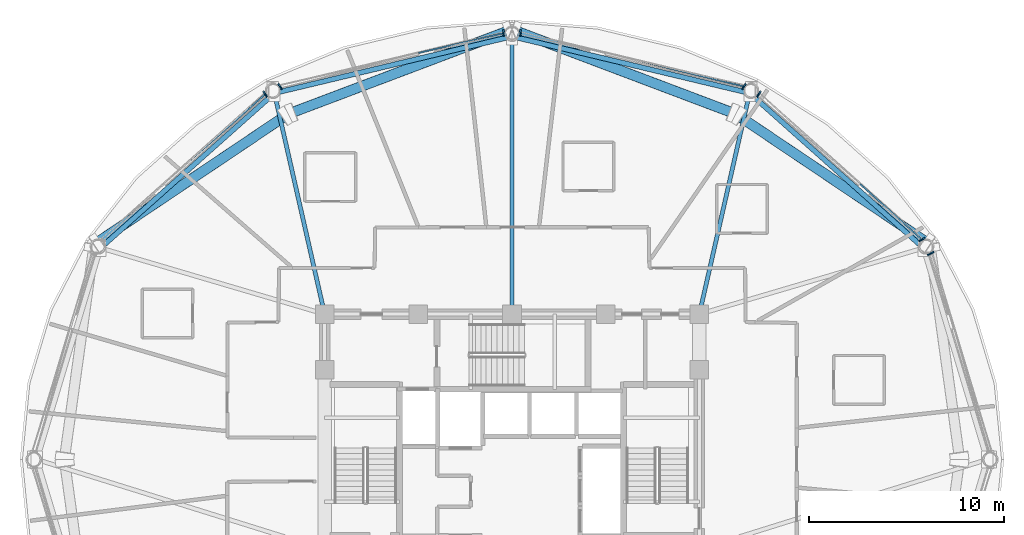
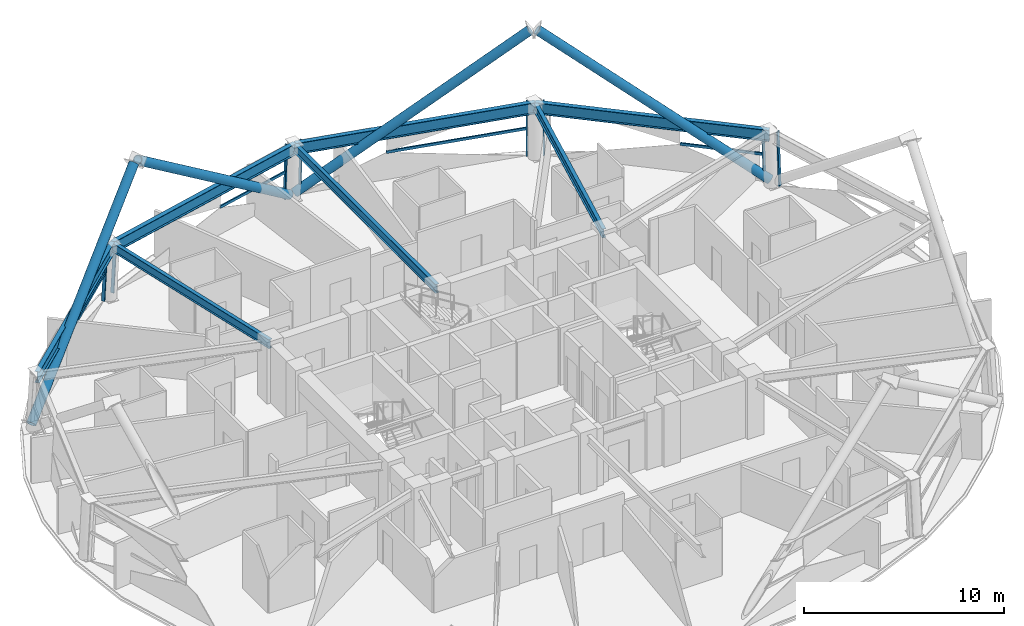
# One storey, part 4 of 13: 16 members, 7 beams, 5 elements without a shape of their own.
"""IFC4 building model written with IfcOpenShell, lengths in metres."""

from ifc_helpers import new_model, si_unit, direction, frame, origin, origin_2d, place, context, subcontext, project, spatial, hollow_rectangle, hollow_circle, i_section, extrude, material, layer, layer_set, material_profile, profile_set, type_object, element, aggregate, save


model = new_model("IFC4")

# Units and contexts
model_context = context("Model", 3, precision=1e-05, world=origin(), true_north=direction((0.0, 1.0)))
body_context = subcontext(model_context, "Body", "Model", "MODEL_VIEW")
ifc_project = project(units=[si_unit("LENGTHUNIT", "METRE"), si_unit("AREAUNIT", "SQUARE_METRE"), si_unit("VOLUMEUNIT", "CUBIC_METRE"), si_unit("PLANEANGLEUNIT", "RADIAN"), si_unit("MASSUNIT", "GRAM", prefix="KILO")], contexts=[model_context])

# Site, building, storey
site_placement = place(None, origin())
site = spatial("IfcSite", under=ifc_project, at=site_placement, CompositionType="ELEMENT")
building_placement = place(site_placement, origin())
building = spatial("IfcBuilding", under=site, at=building_placement, Name="Vantalir Tower", CompositionType="ELEMENT")
storey_placement = place(building_placement, frame((0.0, 0.0, 172.199951171875)))
storey = spatial("IfcBuildingStorey", under=building, at=storey_placement, Name="L43", CompositionType="ELEMENT", Elevation=172.199951171875)

# Beams
ifc_material_1 = material(Name="Steel S355", Category="steel")
ifc_material_profile_1 = material_profile(ifc_material_1, i_section(OverallWidth=0.2109375, OverallDepth=0.5390625, WebThickness=0.01171875, FlangeThickness=0.018798828125, at=origin_2d()), Name="Steel S355")
ifc_profile_set_1 = profile_set([ifc_material_profile_1], Name="Steel S355")
beam_type_1 = type_object("IfcBeamType", Name="BM-RB-533x210", PredefinedType="BEAM", material=ifc_profile_set_1)
beam_1_placement = place(storey_placement, frame((43.675048828125, 43.777099609375, 3.22998046875), z_axis=(-0.221670157593, -0.975121705857, 0.0), x_axis=(0.975121705857, -0.221670157593, 0.0)))
element("IfcBeam", 1, at=beam_1_placement, inside=storey, type_object=beam_type_1, Name="L43 Radial Floor Beam 03", PredefinedType="BEAM", context=body_context, shape_type="SweptSolid", body=[
    extrude(i_section(OverallWidth=0.2109375, OverallDepth=0.5390625, WebThickness=0.01171875, FlangeThickness=0.018798828125, at=origin_2d()), origin(), (0.0, 0.0, 1.0), 11.6162109375),
])
beam_2_placement = place(storey_placement, frame((31.5, 46.681884765625, 3.22998046875), z_axis=(0.0, -1.0, 0.0), x_axis=(1.0, 0.0, 0.0)))
element("IfcBeam", 2, at=beam_2_placement, inside=storey, type_object=beam_type_1, Name="L43 Radial Floor Beam 04", PredefinedType="BEAM", context=body_context, shape_type="SweptSolid", body=[
    extrude(i_section(OverallWidth=0.2109375, OverallDepth=0.5390625, WebThickness=0.01171875, FlangeThickness=0.018798828125, at=origin_2d()), origin(), (0.0, 0.0, 1.0), 14.23193359375),
])
beam_3_placement = place(storey_placement, frame((19.324951171875, 43.777099609375, 3.22998046875), z_axis=(0.221670157593, -0.975121705857, 0.0), x_axis=(0.975121705857, 0.221670157593, 0.0)))
element("IfcBeam", 3, at=beam_3_placement, inside=storey, type_object=beam_type_1, Name="L43 Radial Floor Beam 05", PredefinedType="BEAM", context=body_context, shape_type="SweptSolid", body=[
    extrude(i_section(OverallWidth=0.2109375, OverallDepth=0.5390625, WebThickness=0.01171875, FlangeThickness=0.018798828125, at=origin_2d()), origin(), (0.0, 0.0, 1.0), 11.6162109375),
])
ifc_material_2 = material(Name="Steel S460", Category="steel")
ifc_material_profile_2 = material_profile(ifc_material_2, i_section(OverallWidth=0.256103515625, OverallDepth=0.693115234375, WebThickness=0.014404296875, FlangeThickness=0.023681640625, at=origin_2d()), Name="Steel S460")
ifc_profile_set_2 = profile_set([ifc_material_profile_2], Name="Steel S460")
beam_type_2 = type_object("IfcBeamType", Name="BM-RG-686x254", PredefinedType="USERDEFINED", material=ifc_profile_set_2)
beam_4_placement = place(storey_placement, frame((52.587890625, 35.841064453125, 3.154052734375), z_axis=(-0.746846959963, 0.664995953668, 0.0), x_axis=(-0.664995953668, -0.746846959963, 0.0)))
element("IfcBeam", 4, at=beam_4_placement, inside=storey, type_object=beam_type_2, Name="L43 Circumferential Ring Girder 02", ObjectType="GIRDER", PredefinedType="USERDEFINED", context=body_context, shape_type="SweptSolid", body=[
    extrude(i_section(OverallWidth=0.256103515625, OverallDepth=0.693115234375, WebThickness=0.014404296875, FlangeThickness=0.023681640625, at=origin_2d()), origin(), (0.0, 0.0, 1.0), 11.93408203125),
])
for number, where, z_axis, x_axis, name in (
    (5, (43.675048828125, 43.777099609375, 3.154052734375), (-0.972698748536, 0.232071421326, 0.0), (-0.232071421326, -0.972698748536, 0.0), "L43 Circumferential Ring Girder 03"),
    (6, (31.5, 46.681884765625, 3.154052734375), (-0.972698748536, -0.232071421326, 0.0), (0.232071421326, -0.972698748536, 0.0), "L43 Circumferential Ring Girder 04"),
):
    element("IfcBeam", number, at=place(storey_placement, frame(where, z_axis=z_axis, x_axis=x_axis)), inside=storey, type_object=beam_type_2, Name=name, ObjectType="GIRDER", PredefinedType="USERDEFINED", context=body_context, shape_type="SweptSolid", body=[
        extrude(i_section(OverallWidth=0.256103515625, OverallDepth=0.693115234375, WebThickness=0.014404296875, FlangeThickness=0.023681640625, at=origin_2d()), origin(), (0.0, 0.0, 1.0), 12.516845703125),
    ])
beam_5_placement = place(storey_placement, frame((19.324951171875, 43.777099609375, 3.154052734375), z_axis=(-0.746846959963, -0.664995953668, 0.0), x_axis=(0.664995953668, -0.746846959963, 0.0)))
element("IfcBeam", 7, at=beam_5_placement, inside=storey, type_object=beam_type_2, Name="L43 Circumferential Ring Girder 05", ObjectType="GIRDER", PredefinedType="USERDEFINED", context=body_context, shape_type="SweptSolid", body=[
    extrude(i_section(OverallWidth=0.256103515625, OverallDepth=0.693115234375, WebThickness=0.014404296875, FlangeThickness=0.023681640625, at=origin_2d()), origin(), (0.0, 0.0, 1.0), 11.93408203125),
])

# Curtain wall, member
ifc_material_3 = material(Name="Champagne-silver PVDF aluminium and double-silver Low-E glass", Category="aluminium")
ifc_layer = layer(ifc_material_3, 0.199951171875)
ifc_layer_set = layer_set([ifc_layer], Name="Champagne-silver PVDF aluminium and double-silver Low-E glass")
curtain_wall_type = type_object("IfcCurtainWallType", Name="CW-DIAMOND-Z2", PredefinedType="USERDEFINED", material=ifc_layer_set)
curtain_wall_1_placement = place(storey_placement, origin())
curtain_wall_1 = element("IfcCurtainWall", 8, at=curtain_wall_1_placement, inside=storey, type_object=curtain_wall_type, Name="L43 Quilted Pyramid-Diamond Curtain Wall S01", ObjectType="UNITISED CURTAIN WALL", PredefinedType="USERDEFINED")
ifc_material_4 = material(Name="Champagne-silver PVDF aluminium 6063-T6", Category="aluminium")
ifc_material_profile_3 = material_profile(ifc_material_4, hollow_rectangle(XDim=0.074951171875, YDim=0.179931640625, WallThickness=0.00390625, at=origin_2d()), Name="Champagne-silver PVDF aluminium 6063-T6")
ifc_profile_set_3 = profile_set([ifc_material_profile_3], Name="Champagne-silver PVDF aluminium 6063-T6")
member_type_1 = type_object("IfcMemberType", Name="CWM-180x75", PredefinedType="MULLION", material=ifc_profile_set_3)
member_1_placement = place(storey_placement, frame((53.0400390625, 35.597900390625, 0.045166015625), z_axis=(-0.047187623681, -0.024308775836, 0.998590212043), x_axis=(0.457956589674, -0.888974556427, 0.0)))
member_1 = element("IfcMember", 9, at=member_1_placement, type_object=member_type_1, Name="CW-L43-S01 Mullion 2", PredefinedType="MULLION", context=body_context, shape_type="SweptSolid", body=[
    extrude(hollow_rectangle(XDim=0.074951171875, YDim=0.179931640625, WallThickness=0.00390625, at=origin_2d()), origin(), (0.0, 0.0, 1.0), 3.414794921875),
])
aggregate(curtain_wall_1, [member_1])

# Curtain wall, members
curtain_wall_2_placement = place(storey_placement, origin())
curtain_wall_2 = element("IfcCurtainWall", 10, at=curtain_wall_2_placement, inside=storey, type_object=curtain_wall_type, Name="L43 Quilted Pyramid-Diamond Curtain Wall S02", ObjectType="UNITISED CURTAIN WALL", PredefinedType="USERDEFINED")
member_2_placement = place(storey_placement, frame((52.5849609375, 36.31201171875, 0.045166015625), z_axis=(-0.047116286119, -0.024308857785, 0.998593578497), x_axis=(0.458505511118, -0.888691564197, 0.0)))
member_2 = element("IfcMember", 11, at=member_2_placement, type_object=member_type_1, Name="CW-L43-S02 Mullion 1", PredefinedType="MULLION", context=body_context, shape_type="SweptSolid", body=[
    extrude(hollow_rectangle(XDim=0.074951171875, YDim=0.179931640625, WallThickness=0.00390625, at=origin_2d()), origin(), (0.0, 0.0, 1.0), 3.414794921875),
])
member_3_placement = place(storey_placement, frame((44.19091796875, 43.7919921875, 0.045166015625), z_axis=(-0.027244490604, -0.041903599722, 0.998750131946), x_axis=(0.838378236509, -0.545088921689, 0.0)))
member_3 = element("IfcMember", 12, at=member_3_placement, type_object=member_type_1, Name="CW-L43-S02 Mullion 2", PredefinedType="MULLION", context=body_context, shape_type="SweptSolid", body=[
    extrude(hollow_rectangle(XDim=0.074951171875, YDim=0.179931640625, WallThickness=0.00390625, at=origin_2d()), origin(), (0.0, 0.0, 1.0), 3.4140625),
])

curtain_wall_3_placement = place(storey_placement, origin())
curtain_wall_3 = element("IfcCurtainWall", 13, at=curtain_wall_3_placement, inside=storey, type_object=curtain_wall_type, Name="L43 Quilted Pyramid-Diamond Curtain Wall S03", ObjectType="UNITISED CURTAIN WALL", PredefinedType="USERDEFINED")
member_4_placement = place(storey_placement, frame((43.43505859375, 44.18701171875, 0.045166015625), z_axis=(-0.027244490604, -0.041903599722, 0.998750131946), x_axis=(0.838378236509, -0.545088921689, 0.0)))
member_4 = element("IfcMember", 14, at=member_4_placement, type_object=member_type_1, Name="CW-L43-S03 Mullion 1", PredefinedType="MULLION", context=body_context, shape_type="SweptSolid", body=[
    extrude(hollow_rectangle(XDim=0.074951171875, YDim=0.179931640625, WallThickness=0.00390625, at=origin_2d()), origin(), (0.0, 0.0, 1.0), 3.4140625),
])
member_5_placement = place(storey_placement, frame((31.927978515625, 46.93603515625, 0.045166015625), z_axis=(0.0, -0.048628589719, 0.998816930304), x_axis=(1.0, 0.0, 0.0)))
member_5 = element("IfcMember", 15, at=member_5_placement, type_object=member_type_1, Name="CW-L43-S03 Mullion 2", PredefinedType="MULLION", context=body_context, shape_type="SweptSolid", body=[
    extrude(hollow_rectangle(XDim=0.074951171875, YDim=0.179931640625, WallThickness=0.00390625, at=origin_2d()), origin(), (0.0, 0.0, 1.0), 3.4140625),
])

curtain_wall_4_placement = place(storey_placement, origin())
curtain_wall_4 = element("IfcCurtainWall", 16, at=curtain_wall_4_placement, inside=storey, type_object=curtain_wall_type, Name="L43 Quilted Pyramid-Diamond Curtain Wall S04", ObjectType="UNITISED CURTAIN WALL", PredefinedType="USERDEFINED")
member_6_placement = place(storey_placement, frame((31.072021484375, 46.93603515625, 0.045166015625), z_axis=(0.0, -0.048628589719, 0.998816930304), x_axis=(1.0, 0.0, 0.0)))
member_6 = element("IfcMember", 17, at=member_6_placement, type_object=member_type_1, Name="CW-L43-S04 Mullion 1", PredefinedType="MULLION", context=body_context, shape_type="SweptSolid", body=[
    extrude(hollow_rectangle(XDim=0.074951171875, YDim=0.179931640625, WallThickness=0.00390625, at=origin_2d()), origin(), (0.0, 0.0, 1.0), 3.4140625),
])
member_7_placement = place(storey_placement, frame((19.56494140625, 44.18701171875, 0.045166015625), z_axis=(0.027244490604, -0.041903599722, 0.998750131946), x_axis=(0.838378236509, 0.545088921689, 0.0)))
member_7 = element("IfcMember", 18, at=member_7_placement, type_object=member_type_1, Name="CW-L43-S04 Mullion 2", PredefinedType="MULLION", context=body_context, shape_type="SweptSolid", body=[
    extrude(hollow_rectangle(XDim=0.074951171875, YDim=0.179931640625, WallThickness=0.00390625, at=origin_2d()), origin(), (0.0, 0.0, 1.0), 3.4140625),
])

# Curtain wall, member
curtain_wall_5_placement = place(storey_placement, origin())
curtain_wall_5 = element("IfcCurtainWall", 19, at=curtain_wall_5_placement, inside=storey, type_object=curtain_wall_type, Name="L43 Quilted Pyramid-Diamond Curtain Wall S05", ObjectType="UNITISED CURTAIN WALL", PredefinedType="USERDEFINED")
member_8_placement = place(storey_placement, frame((18.80908203125, 43.7919921875, 0.045166015625), z_axis=(0.027244490604, -0.041903599722, 0.998750131946), x_axis=(0.838378236509, 0.545088921689, 0.0)))
member_8 = element("IfcMember", 20, at=member_8_placement, type_object=member_type_1, Name="CW-L43-S05 Mullion 1", PredefinedType="MULLION", context=body_context, shape_type="SweptSolid", body=[
    extrude(hollow_rectangle(XDim=0.074951171875, YDim=0.179931640625, WallThickness=0.00390625, at=origin_2d()), origin(), (0.0, 0.0, 1.0), 3.4140625),
])

# Member
ifc_material_profile_4 = material_profile(ifc_material_4, hollow_rectangle(XDim=0.074951171875, YDim=0.159912109375, WallThickness=0.00390625, at=origin_2d()), Name="Champagne-silver PVDF aluminium 6063-T6")
ifc_profile_set_4 = profile_set([ifc_material_profile_4], Name="Champagne-silver PVDF aluminium 6063-T6")
member_type_2 = type_object("IfcMemberType", Name="CWT-160x75", PredefinedType="USERDEFINED", material=ifc_profile_set_4)
member_9_placement = place(storey_placement, frame((52.50390625, 36.27001953125, 1.75), z_axis=(-0.742851363455, 0.669456385295, 0.0), x_axis=(-0.669456385295, -0.742851363455, 0.0)))
member_9 = element("IfcMember", 21, at=member_9_placement, type_object=member_type_2, Name="CW-L43-S02 Pyramid Fold Ridge Transom", ObjectType="TRANSOM", PredefinedType="USERDEFINED", context=body_context, shape_type="SweptSolid", body=[
    extrude(hollow_rectangle(XDim=0.074951171875, YDim=0.159912109375, WallThickness=0.00390625, at=origin_2d()), origin(), (0.0, 0.0, 1.0), 4.251220703125),
])

aggregate(curtain_wall_2, [member_2, member_3, member_9])

member_10_placement = place(storey_placement, frame((43.388916015625, 44.115966796875, 1.75), z_axis=(-0.97189529896, 0.235413525225, 0.0), x_axis=(-0.235413525225, -0.97189529896, 0.0)))
member_10 = element("IfcMember", 22, at=member_10_placement, type_object=member_type_2, Name="CW-L43-S03 Pyramid Fold Ridge Transom", ObjectType="TRANSOM", PredefinedType="USERDEFINED", context=body_context, shape_type="SweptSolid", body=[
    extrude(hollow_rectangle(XDim=0.074951171875, YDim=0.159912109375, WallThickness=0.00390625, at=origin_2d()), origin(), (0.0, 0.0, 1.0), 7.30615234375),
])

aggregate(curtain_wall_3, [member_4, member_5, member_10])

member_11_placement = place(storey_placement, frame((31.072021484375, 46.85302734375, 1.75), z_axis=(-0.973854481496, -0.227172729151, 0.0), x_axis=(0.227172729151, -0.973854481496, 0.0)))
member_11 = element("IfcMember", 23, at=member_11_placement, type_object=member_type_2, Name="CW-L43-S04 Pyramid Fold Ridge Transom", ObjectType="TRANSOM", PredefinedType="USERDEFINED", context=body_context, shape_type="SweptSolid", body=[
    extrude(hollow_rectangle(XDim=0.074951171875, YDim=0.159912109375, WallThickness=0.00390625, at=origin_2d()), origin(), (0.0, 0.0, 1.0), 4.47705078125),
])

aggregate(curtain_wall_4, [member_6, member_7, member_11])

member_12_placement = place(storey_placement, frame((18.85498046875, 43.720947265625, 1.75), z_axis=(-0.748699312899, -0.662909751674, 0.0), x_axis=(0.662909751674, -0.748699312899, 0.0)))
member_12 = element("IfcMember", 24, at=member_12_placement, type_object=member_type_2, Name="CW-L43-S05 Pyramid Fold Ridge Transom", ObjectType="TRANSOM", PredefinedType="USERDEFINED", context=body_context, shape_type="SweptSolid", body=[
    extrude(hollow_rectangle(XDim=0.074951171875, YDim=0.159912109375, WallThickness=0.00390625, at=origin_2d()), origin(), (0.0, 0.0, 1.0), 6.946533203125),
])

aggregate(curtain_wall_5, [member_8, member_12])

# Members
ifc_material_profile_5 = material_profile(ifc_material_2, hollow_circle(Radius=0.260009765625, WallThickness=0.0380859375, at=origin_2d()), Name="Steel S460")
ifc_profile_set_5 = profile_set([ifc_material_profile_5], Name="Steel S460")
member_type_3 = type_object("IfcMemberType", Name="MEM-DB-520x38", PredefinedType="BRACE", material=ifc_profile_set_5)
member_13_placement = place(storey_placement, frame((52.76611328125, 36.117919921875, 0.2099609375), z_axis=(-0.6685604634, 0.449535569538, 0.592405839352), x_axis=(-0.557985872805, -0.829850447822, 0.0)))
element("IfcMember", 25, at=member_13_placement, inside=storey, type_object=member_type_3, Name="L43 Perimeter S460 Diagrid Brace R04L", PredefinedType="BRACE", context=body_context, shape_type="SweptSolid", body=[
    extrude(hollow_circle(Radius=0.260009765625, WallThickness=0.0380859375, at=origin_2d()), origin(), (0.0, 0.0, 1.0), 14.432861328125),
])
for number, where, z_axis, x_axis, name in (
    (26, (31.3330078125, 46.97509765625, 0.2080078125), (-0.759680967937, -0.286997619966, 0.583538510373), (0.353408146516, -0.935469230908, 0.0), "L43 Perimeter S460 Diagrid Brace R10L"),
    (27, (31.6669921875, 46.97509765625, 0.2080078125), (0.759680967937, -0.286997619966, 0.583538510373), (0.353408146516, 0.935469230908, 0.0), "L43 Perimeter S460 Diagrid Brace R10R"),
):
    element("IfcMember", number, at=place(storey_placement, frame(where, z_axis=z_axis, x_axis=x_axis)), inside=storey, type_object=member_type_3, Name=name, PredefinedType="BRACE", context=body_context, shape_type="SweptSolid", body=[
        extrude(hollow_circle(Radius=0.260009765625, WallThickness=0.0380859375, at=origin_2d()), origin(), (0.0, 0.0, 1.0), 14.65869140625),
    ])
member_14_placement = place(storey_placement, frame((10.23388671875, 36.117919921875, 0.2099609375), z_axis=(0.6685604634, 0.449535569538, 0.592405839352), x_axis=(-0.557985872805, 0.829850447822, 0.0)))
element("IfcMember", 28, at=member_14_placement, inside=storey, type_object=member_type_3, Name="L43 Perimeter S460 Diagrid Brace R16R", PredefinedType="BRACE", context=body_context, shape_type="SweptSolid", body=[
    extrude(hollow_circle(Radius=0.260009765625, WallThickness=0.0380859375, at=origin_2d()), origin(), (0.0, 0.0, 1.0), 14.432861328125),
])

save(model, "model.ifc")
